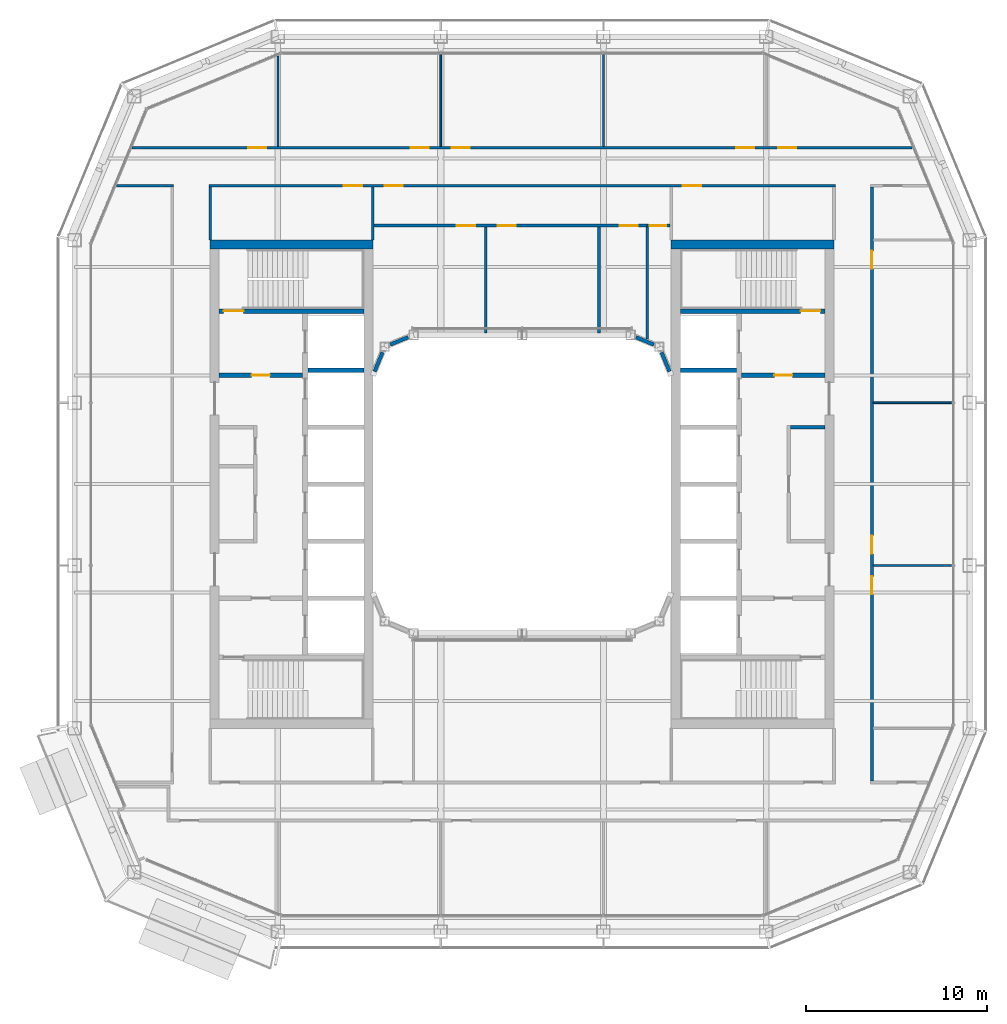
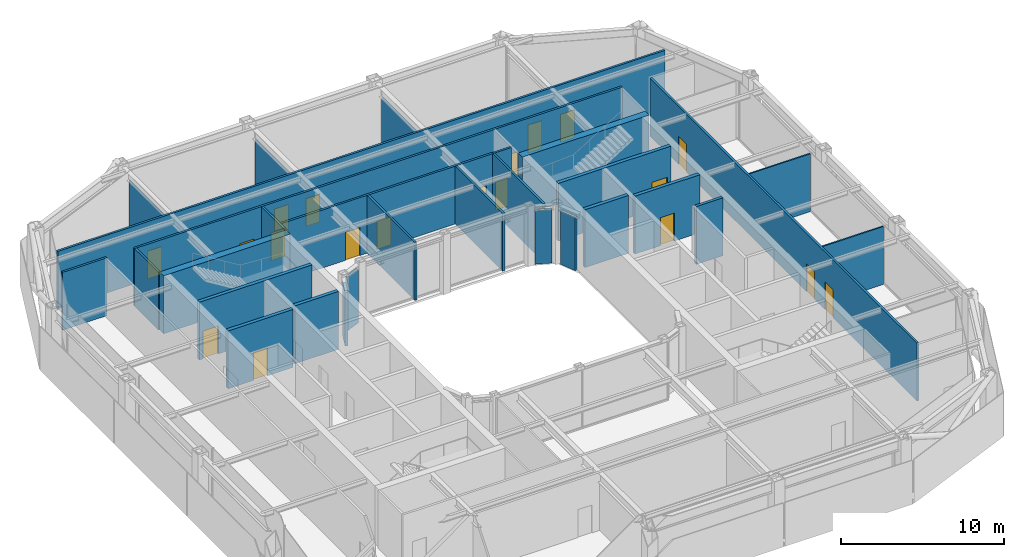
# One storey, part 12 of 20: 29 walls, 19 doors, 19 openings.
"""IFC4 building model written with IfcOpenShell, lengths in metres."""

from ifc_helpers import new_model, si_unit, direction, frame, frame_2d, origin, place, context, subcontext, project, spatial, rectangle, extrude, material, layer, layer_set, type_object, element, fill, save


model = new_model("IFC4")

# Units and contexts
model_context = context("Model", 3, precision=1e-05, world=origin(), true_north=direction((0.0, 1.0)))
body_context = subcontext(model_context, "Body", "Model", "MODEL_VIEW")
ifc_project = project(units=[si_unit("LENGTHUNIT", "METRE"), si_unit("AREAUNIT", "SQUARE_METRE"), si_unit("VOLUMEUNIT", "CUBIC_METRE"), si_unit("PLANEANGLEUNIT", "RADIAN"), si_unit("MASSUNIT", "GRAM", prefix="KILO")], contexts=[model_context])

# Site, building, storey
site_placement = place(None, origin())
site = spatial("IfcSite", under=ifc_project, at=site_placement, CompositionType="ELEMENT")
building_placement = place(site_placement, origin())
building = spatial("IfcBuilding", under=site, at=building_placement, Name="Siwar Civic Tower", CompositionType="ELEMENT")
storey_placement = place(building_placement, frame((0.0, 0.0, 298.699951171875)))
storey = spatial("IfcBuildingStorey", under=building, at=storey_placement, Name="L64", CompositionType="ELEMENT", Elevation=298.699951171875)

# Wall, opening, door
ifc_material_1 = material(Name="Gypsum board on steel studs", Category="steel")
ifc_layer_1 = layer(ifc_material_1, 0.14990234375)
ifc_layer_set_1 = layer_set([ifc_layer_1], Name="Gypsum board on steel studs")
wall_type_1 = type_object("IfcWallType", Name="COMPARTMENT PARTITION 150 EI 60", PredefinedType="PARTITIONING", material=ifc_layer_set_1)
wall_1_placement = place(storey_placement, frame((6.919921875, 14.300048828125, 0.0), z_axis=(0.0, 0.0, 1.0), x_axis=(1.0, 0.0, 0.0)))
wall_1 = element("IfcWall", 1, at=wall_1_placement, inside=storey, type_object=wall_type_1, Name="L64/wall/P11", PredefinedType="PARTITIONING", context=body_context, shape_type="SweptSolid", body=[
    extrude(rectangle(XDim=1.255126953125, YDim=0.14990234375, at=frame_2d((0.62744140625, 0.0))), origin(), (0.0, 0.0, 1.0), 4.35009765625),
])
opening_1_placement = place(wall_1_placement, frame((0.14990234375, 0.0, 0.0)))
opening_1 = element("IfcOpeningElement", 2, at=opening_1_placement, cuts=wall_1, Name="Opening D4", PredefinedType="OPENING", context=body_context, shape_type="SweptSolid", body=[
    extrude(rectangle(XDim=0.89990234375, YDim=2.10009765625, at=frame_2d((0.449951171875, 1.050048828125))), frame((0.0, 0.0849609375, 0.0), z_axis=(0.0, -1.0, 0.0), x_axis=(1.0, 0.0, 0.0)), (0.0, 0.0, 1.0), 0.169921875),
])
ifc_material_2 = material(Name="Timber, painted", Category="wood")
door_type_1 = type_object("IfcDoorType", Name="DOOR 900 X 2100 FD60", OperationType="SINGLE_SWING_LEFT", PredefinedType="DOOR", material=ifc_material_2)
door_1_placement = place(opening_1_placement, origin())
door_1 = element("IfcDoor", 3, at=door_1_placement, inside=storey, type_object=door_type_1, Name="L64-D15", OperationType="SINGLE_SWING_LEFT", OverallHeight=2.10009765625, OverallWidth=0.89990234375, PredefinedType="DOOR", context=body_context, shape_type="SweptSolid", body=[
    extrude(rectangle(XDim=0.89990234375, YDim=2.10009765625, at=frame_2d((0.449951171875, 1.050048828125))), frame((0.0, 0.02490234375, 0.0), z_axis=(0.0, -1.0, 0.0), x_axis=(1.0, 0.0, 0.0)), (0.0, 0.0, 1.0), 0.050048828125),
])
fill(opening_1, door_1)

# Walls
wall_2_placement = place(storey_placement, frame((6.919921875, 8.029052734375, 0.0), z_axis=(0.0, 0.0, 1.0), x_axis=(0.0, 1.0, 0.0)))
element("IfcWall", 4, at=wall_2_placement, inside=storey, type_object=wall_type_1, Name="L64/wall/P31", PredefinedType="PARTITIONING", context=body_context, shape_type="SweptSolid", body=[
    extrude(rectangle(XDim=6.196044921875, YDim=0.14990234375, at=frame_2d((3.09814453125, 0.0))), origin(), (0.0, 0.0, 1.0), 4.35009765625),
])
ifc_material_3 = material(Name="Gypsum board on steel studs", Category="steel")
ifc_layer_2 = layer(ifc_material_3, 0.199951171875)
ifc_layer_set_2 = layer_set([ifc_layer_2], Name="Gypsum board on steel studs")
wall_type_2 = type_object("IfcWallType", Name="CORE-PARTITION-200", PredefinedType="PARTITIONING", material=ifc_layer_set_2)
wall_3_placement = place(storey_placement, frame((14.85009765625, 3.14990234375, 0.0), z_axis=(0.0, 0.0, 1.0), x_axis=(1.0, 0.0, 0.0)))
element("IfcWall", 5, at=wall_3_placement, inside=storey, type_object=wall_type_2, Name="Core partition E", PredefinedType="PARTITIONING", context=body_context, shape_type="SweptSolid", body=[
    extrude(rectangle(XDim=1.89990234375, YDim=0.199951171875, at=frame_2d((0.949951171875, 0.0))), origin(), (0.0, 0.0, 1.0), 4.35009765625),
])

# Wall, opening, door
ifc_material_4 = material(Name="Concrete C60/75", Category="concrete")
ifc_layer_3 = layer(ifc_material_4, 0.25)
ifc_layer_set_3 = layer_set([ifc_layer_3], Name="Concrete C60/75")
wall_type_3 = type_object("IfcWallType", Name="CORE-WALL-RC250", PredefinedType="SHEAR", material=ifc_layer_set_3)
wall_4_placement = place(storey_placement, frame((-12.14990234375, 6.02490234375, 0.0), z_axis=(0.0, 0.0, 1.0), x_axis=(-1.0, 0.0, 0.0)))
wall_4 = element("IfcWall", 6, at=wall_4_placement, inside=storey, type_object=wall_type_3, Name="Core wall W", PredefinedType="SHEAR", context=body_context, shape_type="SweptSolid", body=[
    extrude(rectangle(XDim=4.60009765625, YDim=0.25, at=frame_2d((2.300048828125, 0.0))), origin(), (0.0, 0.0, 1.0), 4.35009765625),
])
opening_2_placement = place(wall_4_placement, frame((1.800048828125, 0.0, 0.0)))
opening_2 = element("IfcOpeningElement", 7, at=opening_2_placement, cuts=wall_4, Name="Opening L64-CW01", PredefinedType="OPENING", context=body_context, shape_type="SweptSolid", body=[
    extrude(rectangle(XDim=1.0, YDim=2.10009765625, at=frame_2d((0.5, 1.050048828125))), frame((0.0, 0.135009765625, 0.0), z_axis=(0.0, -1.0, 0.0), x_axis=(1.0, 0.0, 0.0)), (0.0, 0.0, 1.0), 0.27001953125),
])
ifc_material_5 = material(Name="Steel door leaf", Category="steel")
door_type_2 = type_object("IfcDoorType", Name="CORE-DOOR-FD30S", OperationType="SINGLE_SWING_LEFT", PredefinedType="DOOR", material=ifc_material_5)
door_2_placement = place(opening_2_placement, origin())
door_2 = element("IfcDoor", 8, at=door_2_placement, inside=storey, type_object=door_type_2, Name="Firefighting lobby door L64-CW01", OperationType="SINGLE_SWING_LEFT", OverallHeight=2.10009765625, OverallWidth=1.0, PredefinedType="DOOR", context=body_context, shape_type="SweptSolid", body=[
    extrude(rectangle(XDim=1.0, YDim=2.10009765625, at=frame_2d((0.5, 1.050048828125))), frame((0.0, 0.02490234375, 0.0), z_axis=(0.0, -1.0, 0.0), x_axis=(1.0, 0.0, 0.0)), (0.0, 0.0, 1.0), 0.050048828125),
])
fill(opening_2, door_2)

# Wall
wall_5_placement = place(storey_placement, frame((-8.75, 6.300048828125, 0.0), z_axis=(0.0, 0.0, 1.0), x_axis=(-1.0, 0.0, 0.0)))
element("IfcWall", 9, at=wall_5_placement, inside=storey, type_object=wall_type_3, Name="Core wall W", PredefinedType="SHEAR", context=body_context, shape_type="SweptSolid", body=[
    extrude(rectangle(XDim=3.10009765625, YDim=0.25, at=frame_2d((1.550048828125, 0.0))), origin(), (0.0, 0.0, 1.0), 4.35009765625),
])

# Wall, opening, door
wall_6_placement = place(storey_placement, frame((-8.75, 9.574951171875, 0.0), z_axis=(0.0, 0.0, 1.0), x_axis=(-1.0, 0.0, 0.0)))
wall_6 = element("IfcWall", 10, at=wall_6_placement, inside=storey, type_object=wall_type_3, Name="Core wall W", PredefinedType="SHEAR", context=body_context, shape_type="SweptSolid", body=[
    extrude(rectangle(XDim=8.0, YDim=0.25, at=frame_2d((4.0, 0.0))), origin(), (0.0, 0.0, 1.0), 4.35009765625),
])
opening_3_placement = place(wall_6_placement, frame((6.64990234375, 0.0, 0.0)))
opening_3 = element("IfcOpeningElement", 11, at=opening_3_placement, cuts=wall_6, Name="Opening L64-CW03", PredefinedType="OPENING", context=body_context, shape_type="SweptSolid", body=[
    extrude(rectangle(XDim=1.10009765625, YDim=2.10009765625, at=frame_2d((0.550048828125, 1.050048828125))), frame((0.0, 0.135009765625, 0.0), z_axis=(0.0, -1.0, 0.0), x_axis=(1.0, 0.0, 0.0)), (0.0, 0.0, 1.0), 0.27001953125),
])
ifc_material_6 = material(Name="Steel door leaf", Category="steel")
door_type_3 = type_object("IfcDoorType", Name="CORE-DOOR-FD60S", OperationType="SINGLE_SWING_LEFT", PredefinedType="DOOR", material=ifc_material_6)
door_3_placement = place(opening_3_placement, origin())
door_3 = element("IfcDoor", 12, at=door_3_placement, inside=storey, type_object=door_type_3, Name="Stair door L64-CW03", OperationType="SINGLE_SWING_RIGHT", OverallHeight=2.10009765625, OverallWidth=1.10009765625, PredefinedType="DOOR", context=body_context, shape_type="SweptSolid", body=[
    extrude(rectangle(XDim=1.10009765625, YDim=2.10009765625, at=frame_2d((0.550048828125, 1.050048828125))), frame((0.0, 0.02490234375, 0.0), z_axis=(0.0, -1.0, 0.0), x_axis=(1.0, 0.0, 0.0)), (0.0, 0.0, 1.0), 0.050048828125),
])
fill(opening_3, door_3)

wall_7_placement = place(storey_placement, frame((12.14990234375, 6.02490234375, 0.0), z_axis=(0.0, 0.0, 1.0), x_axis=(1.0, 0.0, 0.0)))
wall_7 = element("IfcWall", 13, at=wall_7_placement, inside=storey, type_object=wall_type_3, Name="Core wall E", PredefinedType="SHEAR", context=body_context, shape_type="SweptSolid", body=[
    extrude(rectangle(XDim=4.60009765625, YDim=0.25, at=frame_2d((2.300048828125, 0.0))), origin(), (0.0, 0.0, 1.0), 4.35009765625),
])
opening_4_placement = place(wall_7_placement, frame((1.800048828125, 0.0, 0.0)))
opening_4 = element("IfcOpeningElement", 14, at=opening_4_placement, cuts=wall_7, Name="Opening L64-CE01", PredefinedType="OPENING", context=body_context, shape_type="SweptSolid", body=[
    extrude(rectangle(XDim=1.0, YDim=2.10009765625, at=frame_2d((0.5, 1.050048828125))), frame((0.0, 0.135009765625, 0.0), z_axis=(0.0, -1.0, 0.0), x_axis=(1.0, 0.0, 0.0)), (0.0, 0.0, 1.0), 0.27001953125),
])
door_4_placement = place(opening_4_placement, origin())
door_4 = element("IfcDoor", 15, at=door_4_placement, inside=storey, type_object=door_type_2, Name="Firefighting lobby door L64-CE01", OperationType="SINGLE_SWING_RIGHT", OverallHeight=2.10009765625, OverallWidth=1.0, PredefinedType="DOOR", context=body_context, shape_type="SweptSolid", body=[
    extrude(rectangle(XDim=1.0, YDim=2.10009765625, at=frame_2d((0.5, 1.050048828125))), frame((0.0, 0.02490234375, 0.0), z_axis=(0.0, -1.0, 0.0), x_axis=(1.0, 0.0, 0.0)), (0.0, 0.0, 1.0), 0.050048828125),
])
fill(opening_4, door_4)

# Wall
wall_8_placement = place(storey_placement, frame((8.75, 6.300048828125, 0.0), z_axis=(0.0, 0.0, 1.0), x_axis=(1.0, 0.0, 0.0)))
element("IfcWall", 16, at=wall_8_placement, inside=storey, type_object=wall_type_3, Name="Core wall E", PredefinedType="SHEAR", context=body_context, shape_type="SweptSolid", body=[
    extrude(rectangle(XDim=3.10009765625, YDim=0.25, at=frame_2d((1.550048828125, 0.0))), origin(), (0.0, 0.0, 1.0), 4.35009765625),
])

# Wall, opening, door
wall_9_placement = place(storey_placement, frame((8.75, 9.574951171875, 0.0), z_axis=(0.0, 0.0, 1.0), x_axis=(1.0, 0.0, 0.0)))
wall_9 = element("IfcWall", 17, at=wall_9_placement, inside=storey, type_object=wall_type_3, Name="Core wall E", PredefinedType="SHEAR", context=body_context, shape_type="SweptSolid", body=[
    extrude(rectangle(XDim=8.0, YDim=0.25, at=frame_2d((4.0, 0.0))), origin(), (0.0, 0.0, 1.0), 4.35009765625),
])
opening_5_placement = place(wall_9_placement, frame((6.64990234375, 0.0, 0.0)))
opening_5 = element("IfcOpeningElement", 18, at=opening_5_placement, cuts=wall_9, Name="Opening L64-CE03", PredefinedType="OPENING", context=body_context, shape_type="SweptSolid", body=[
    extrude(rectangle(XDim=1.10009765625, YDim=2.10009765625, at=frame_2d((0.550048828125, 1.050048828125))), frame((0.0, 0.135009765625, 0.0), z_axis=(0.0, -1.0, 0.0), x_axis=(1.0, 0.0, 0.0)), (0.0, 0.0, 1.0), 0.27001953125),
])
door_5_placement = place(opening_5_placement, origin())
door_5 = element("IfcDoor", 19, at=door_5_placement, inside=storey, type_object=door_type_3, Name="Stair door L64-CE03", OperationType="SINGLE_SWING_LEFT", OverallHeight=2.10009765625, OverallWidth=1.10009765625, PredefinedType="DOOR", context=body_context, shape_type="SweptSolid", body=[
    extrude(rectangle(XDim=1.10009765625, YDim=2.10009765625, at=frame_2d((0.550048828125, 1.050048828125))), frame((0.0, 0.02490234375, 0.0), z_axis=(0.0, -1.0, 0.0), x_axis=(1.0, 0.0, 0.0)), (0.0, 0.0, 1.0), 0.050048828125),
])
fill(opening_5, door_5)

# Walls
ifc_material_7 = material(Name="Concrete C60/75", Category="concrete")
ifc_layer_4 = layer(ifc_material_7, 0.5)
ifc_layer_set_4 = layer_set([ifc_layer_4], Name="Concrete C60/75")
wall_type_4 = type_object("IfcWallType", Name="CORE-WALL-RC500", PredefinedType="SHEAR", material=ifc_layer_set_4)
for number, where, z_axis, x_axis, name in (
    (20, (-8.25, 13.25, 0.0), (0.0, 0.0, 1.0), (-1.0, 0.0, 0.0), "Core wall W"),
    (21, (8.25, 13.25, 0.0), (0.0, 0.0, 1.0), (1.0, 0.0, 0.0), "Core wall E"),
):
    element("IfcWall", number, at=place(storey_placement, frame(where, z_axis=z_axis, x_axis=x_axis)), inside=storey, type_object=wall_type_4, Name=name, PredefinedType="SHEAR", context=body_context, shape_type="SweptSolid", body=[
        extrude(rectangle(XDim=9.0, YDim=0.5, at=frame_2d((4.5, 0.0))), origin(), (0.0, 0.0, 1.0), 4.35009765625),
    ])

# Wall, openings, doors
ifc_material_8 = material(Name="Gypsum board on steel studs", Category="steel")
ifc_layer_5 = layer(ifc_material_8, 0.14990234375)
ifc_layer_set_5 = layer_set([ifc_layer_5], Name="Gypsum board on steel studs")
wall_type_5 = type_object("IfcWallType", Name="CORRIDOR PARTITION 150 EI 30", PredefinedType="PARTITIONING", material=ifc_layer_set_5)
wall_10_placement = place(storey_placement, frame((-8.175048828125, 14.300048828125, 0.0), z_axis=(0.0, 0.0, 1.0), x_axis=(1.0, 0.0, 0.0)))
wall_10 = element("IfcWall", 22, at=wall_10_placement, inside=storey, type_object=wall_type_5, Name="L64/wall/P10", PredefinedType="PARTITIONING", context=body_context, shape_type="SweptSolid", body=[
    extrude(rectangle(XDim=15.094970703125, YDim=0.14990234375, at=frame_2d((7.54736328125, 0.0))), origin(), (0.0, 0.0, 1.0), 4.35009765625),
])
opening_6_placement = place(wall_10_placement, frame((4.574951171875, 0.0, 0.0)))
opening_6 = element("IfcOpeningElement", 23, at=opening_6_placement, cuts=wall_10, Name="Opening D3", PredefinedType="OPENING", context=body_context, shape_type="SweptSolid", body=[
    extrude(rectangle(XDim=1.0, YDim=2.10009765625, at=frame_2d((0.5, 1.050048828125))), frame((0.0, 0.0849609375, 0.0), z_axis=(0.0, -1.0, 0.0), x_axis=(1.0, 0.0, 0.0)), (0.0, 0.0, 1.0), 0.169921875),
])
opening_7_placement = place(wall_10_placement, frame((6.824951171875, 0.0, 0.0)))
opening_7 = element("IfcOpeningElement", 24, at=opening_7_placement, cuts=wall_10, Name="Opening D3", PredefinedType="OPENING", context=body_context, shape_type="SweptSolid", body=[
    extrude(rectangle(XDim=1.0, YDim=2.10009765625, at=frame_2d((0.5, 1.050048828125))), frame((0.0, 0.0849609375, 0.0), z_axis=(0.0, -1.0, 0.0), x_axis=(1.0, 0.0, 0.0)), (0.0, 0.0, 1.0), 0.169921875),
])
opening_8_placement = place(wall_10_placement, frame((13.574951171875, 0.0, 0.0)))
opening_8 = element("IfcOpeningElement", 25, at=opening_8_placement, cuts=wall_10, Name="Opening D3", PredefinedType="OPENING", context=body_context, shape_type="SweptSolid", body=[
    extrude(rectangle(XDim=1.0, YDim=2.10009765625, at=frame_2d((0.5, 1.050048828125))), frame((0.0, 0.0849609375, 0.0), z_axis=(0.0, -1.0, 0.0), x_axis=(1.0, 0.0, 0.0)), (0.0, 0.0, 1.0), 0.169921875),
])
ifc_material_9 = material(Name="Timber, painted", Category="wood")
door_type_4 = type_object("IfcDoorType", Name="DOOR 1000 X 2100 WC", OperationType="SINGLE_SWING_LEFT", PredefinedType="DOOR", material=ifc_material_9)
door_6_placement = place(opening_6_placement, origin())
door_6 = element("IfcDoor", 26, at=door_6_placement, inside=storey, type_object=door_type_4, Name="L64-D12", OperationType="SINGLE_SWING_RIGHT", OverallHeight=2.10009765625, OverallWidth=1.0, PredefinedType="DOOR", context=body_context, shape_type="SweptSolid", body=[
    extrude(rectangle(XDim=1.0, YDim=2.10009765625, at=frame_2d((0.5, 1.050048828125))), frame((0.0, 0.02490234375, 0.0), z_axis=(0.0, -1.0, 0.0), x_axis=(1.0, 0.0, 0.0)), (0.0, 0.0, 1.0), 0.050048828125),
])
fill(opening_6, door_6)
door_7_placement = place(opening_7_placement, origin())
door_7 = element("IfcDoor", 27, at=door_7_placement, inside=storey, type_object=door_type_4, Name="L64-D13", OperationType="SINGLE_SWING_LEFT", OverallHeight=2.10009765625, OverallWidth=1.0, PredefinedType="DOOR", context=body_context, shape_type="SweptSolid", body=[
    extrude(rectangle(XDim=1.0, YDim=2.10009765625, at=frame_2d((0.5, 1.050048828125))), frame((0.0, 0.02490234375, 0.0), z_axis=(0.0, -1.0, 0.0), x_axis=(1.0, 0.0, 0.0)), (0.0, 0.0, 1.0), 0.050048828125),
])
fill(opening_7, door_7)
door_8_placement = place(opening_8_placement, origin())
door_8 = element("IfcDoor", 28, at=door_8_placement, inside=storey, type_object=door_type_4, Name="L64-D14", OperationType="SINGLE_SWING_RIGHT", OverallHeight=2.10009765625, OverallWidth=1.0, PredefinedType="DOOR", context=body_context, shape_type="SweptSolid", body=[
    extrude(rectangle(XDim=1.0, YDim=2.10009765625, at=frame_2d((0.5, 1.050048828125))), frame((0.0, 0.02490234375, 0.0), z_axis=(0.0, -1.0, 0.0), x_axis=(1.0, 0.0, 0.0)), (0.0, 0.0, 1.0), 0.050048828125),
])
fill(opening_8, door_8)

# Wall
wall_11_placement = place(storey_placement, frame((-22.43603515625, 16.5, 0.0), z_axis=(0.0, 0.0, 1.0), x_axis=(1.0, 0.0, 0.0)))
element("IfcWall", 29, at=wall_11_placement, inside=storey, type_object=wall_type_5, Name="L64/wall/P12", PredefinedType="PARTITIONING", context=body_context, shape_type="SweptSolid", body=[
    extrude(rectangle(XDim=3.1611328125, YDim=0.14990234375, at=frame_2d((1.58056640625, 0.0))), origin(), (0.0, 0.0, 1.0), 4.35009765625),
])

# Wall, openings, doors
wall_12_placement = place(storey_placement, frame((-17.324951171875, 16.5, 0.0), z_axis=(0.0, 0.0, 1.0), x_axis=(1.0, 0.0, 0.0)))
wall_12 = element("IfcWall", 30, at=wall_12_placement, inside=storey, type_object=wall_type_5, Name="L64/wall/P13", PredefinedType="PARTITIONING", context=body_context, shape_type="SweptSolid", body=[
    extrude(rectangle(XDim=34.64990234375, YDim=0.14990234375, at=frame_2d((17.324951171875, 0.0))), origin(), (0.0, 0.0, 1.0), 4.35009765625),
])
opening_9_placement = place(wall_12_placement, frame((9.72509765625, 0.0, 0.0)))
opening_9 = element("IfcOpeningElement", 31, at=opening_9_placement, cuts=wall_12, Name="Opening D1", PredefinedType="OPENING", context=body_context, shape_type="SweptSolid", body=[
    extrude(rectangle(XDim=1.0, YDim=2.10009765625, at=frame_2d((0.5, 1.050048828125))), frame((0.0, 0.0849609375, 0.0), z_axis=(0.0, -1.0, 0.0), x_axis=(1.0, 0.0, 0.0)), (0.0, 0.0, 1.0), 0.169921875),
])
opening_10_placement = place(wall_12_placement, frame((7.47509765625, 0.0, 0.0)))
opening_10 = element("IfcOpeningElement", 32, at=opening_10_placement, cuts=wall_12, Name="Opening D1", PredefinedType="OPENING", context=body_context, shape_type="SweptSolid", body=[
    extrude(rectangle(XDim=1.0, YDim=2.10009765625, at=frame_2d((0.5, 1.050048828125))), frame((0.0, 0.0849609375, 0.0), z_axis=(0.0, -1.0, 0.0), x_axis=(1.0, 0.0, 0.0)), (0.0, 0.0, 1.0), 0.169921875),
])
opening_11_placement = place(wall_12_placement, frame((26.22509765625, 0.0, 0.0)))
opening_11 = element("IfcOpeningElement", 33, at=opening_11_placement, cuts=wall_12, Name="Opening D1", PredefinedType="OPENING", context=body_context, shape_type="SweptSolid", body=[
    extrude(rectangle(XDim=1.0, YDim=2.10009765625, at=frame_2d((0.5, 1.050048828125))), frame((0.0, 0.0849609375, 0.0), z_axis=(0.0, -1.0, 0.0), x_axis=(1.0, 0.0, 0.0)), (0.0, 0.0, 1.0), 0.169921875),
])
ifc_material_10 = material(Name="Timber, painted", Category="wood")
door_type_5 = type_object("IfcDoorType", Name="DOOR 1000 X 2100 FD30", OperationType="SINGLE_SWING_LEFT", PredefinedType="DOOR", material=ifc_material_10)
door_9_placement = place(opening_9_placement, origin())
door_9 = element("IfcDoor", 34, at=door_9_placement, inside=storey, type_object=door_type_5, Name="L64-D11", OperationType="SINGLE_SWING_LEFT", OverallHeight=2.10009765625, OverallWidth=1.0, PredefinedType="DOOR", context=body_context, shape_type="SweptSolid", body=[
    extrude(rectangle(XDim=1.0, YDim=2.10009765625, at=frame_2d((0.5, 1.050048828125))), frame((0.0, 0.02490234375, 0.0), z_axis=(0.0, -1.0, 0.0), x_axis=(1.0, 0.0, 0.0)), (0.0, 0.0, 1.0), 0.050048828125),
])
fill(opening_9, door_9)
door_10_placement = place(opening_10_placement, origin())
door_10 = element("IfcDoor", 35, at=door_10_placement, inside=storey, type_object=door_type_5, Name="L64-D18", OperationType="SINGLE_SWING_RIGHT", OverallHeight=2.10009765625, OverallWidth=1.0, PredefinedType="DOOR", context=body_context, shape_type="SweptSolid", body=[
    extrude(rectangle(XDim=1.0, YDim=2.10009765625, at=frame_2d((0.5, 1.050048828125))), frame((0.0, 0.02490234375, 0.0), z_axis=(0.0, -1.0, 0.0), x_axis=(1.0, 0.0, 0.0)), (0.0, 0.0, 1.0), 0.050048828125),
])
fill(opening_10, door_10)
door_11_placement = place(opening_11_placement, origin())
door_11 = element("IfcDoor", 36, at=door_11_placement, inside=storey, type_object=door_type_5, Name="L64-D19", OperationType="SINGLE_SWING_LEFT", OverallHeight=2.10009765625, OverallWidth=1.0, PredefinedType="DOOR", context=body_context, shape_type="SweptSolid", body=[
    extrude(rectangle(XDim=1.0, YDim=2.10009765625, at=frame_2d((0.5, 1.050048828125))), frame((0.0, 0.02490234375, 0.0), z_axis=(0.0, -1.0, 0.0), x_axis=(1.0, 0.0, 0.0)), (0.0, 0.0, 1.0), 0.050048828125),
])
fill(opening_11, door_11)

wall_13_placement = place(storey_placement, frame((-21.56591796875, 18.60009765625, 0.0), z_axis=(0.0, 0.0, 1.0), x_axis=(1.0, 0.0, 0.0)))
wall_13 = element("IfcWall", 37, at=wall_13_placement, inside=storey, type_object=wall_type_5, Name="L64/wall/P15", PredefinedType="PARTITIONING", context=body_context, shape_type="SweptSolid", body=[
    extrude(rectangle(XDim=43.1318359375, YDim=0.14990234375, at=frame_2d((21.56591796875, 0.0))), origin(), (0.0, 0.0, 1.0), 4.35009765625),
])
opening_12_placement = place(wall_13_placement, frame((15.416015625, 0.0, 0.0)))
opening_12 = element("IfcOpeningElement", 38, at=opening_12_placement, cuts=wall_13, Name="Opening D1", PredefinedType="OPENING", context=body_context, shape_type="SweptSolid", body=[
    extrude(rectangle(XDim=1.0, YDim=2.10009765625, at=frame_2d((0.5, 1.050048828125))), frame((0.0, 0.0849609375, 0.0), z_axis=(0.0, -1.0, 0.0), x_axis=(1.0, 0.0, 0.0)), (0.0, 0.0, 1.0), 0.169921875),
])
opening_13_placement = place(wall_13_placement, frame((17.666015625, 0.0, 0.0)))
opening_13 = element("IfcOpeningElement", 39, at=opening_13_placement, cuts=wall_13, Name="Opening D1", PredefinedType="OPENING", context=body_context, shape_type="SweptSolid", body=[
    extrude(rectangle(XDim=1.0, YDim=2.10009765625, at=frame_2d((0.5, 1.050048828125))), frame((0.0, 0.0849609375, 0.0), z_axis=(0.0, -1.0, 0.0), x_axis=(1.0, 0.0, 0.0)), (0.0, 0.0, 1.0), 0.169921875),
])
opening_14_placement = place(wall_13_placement, frame((33.416015625, 0.0, 0.0)))
opening_14 = element("IfcOpeningElement", 40, at=opening_14_placement, cuts=wall_13, Name="Opening D1", PredefinedType="OPENING", context=body_context, shape_type="SweptSolid", body=[
    extrude(rectangle(XDim=1.0, YDim=2.10009765625, at=frame_2d((0.5, 1.050048828125))), frame((0.0, 0.0849609375, 0.0), z_axis=(0.0, -1.0, 0.0), x_axis=(1.0, 0.0, 0.0)), (0.0, 0.0, 1.0), 0.169921875),
])
opening_15_placement = place(wall_13_placement, frame((6.416015625, 0.0, 0.0)))
opening_15 = element("IfcOpeningElement", 41, at=opening_15_placement, cuts=wall_13, Name="Opening D1", PredefinedType="OPENING", context=body_context, shape_type="SweptSolid", body=[
    extrude(rectangle(XDim=1.0, YDim=2.10009765625, at=frame_2d((0.5, 1.050048828125))), frame((0.0, 0.0849609375, 0.0), z_axis=(0.0, -1.0, 0.0), x_axis=(1.0, 0.0, 0.0)), (0.0, 0.0, 1.0), 0.169921875),
])
opening_16_placement = place(wall_13_placement, frame((35.73193359375, 0.0, 0.0)))
opening_16 = element("IfcOpeningElement", 42, at=opening_16_placement, cuts=wall_13, Name="Opening D1", PredefinedType="OPENING", context=body_context, shape_type="SweptSolid", body=[
    extrude(rectangle(XDim=1.0, YDim=2.10009765625, at=frame_2d((0.5, 1.050048828125))), frame((0.0, 0.0849609375, 0.0), z_axis=(0.0, -1.0, 0.0), x_axis=(1.0, 0.0, 0.0)), (0.0, 0.0, 1.0), 0.169921875),
])
door_12_placement = place(opening_12_placement, origin())
door_12 = element("IfcDoor", 43, at=door_12_placement, inside=storey, type_object=door_type_5, Name="L64-D01", OperationType="SINGLE_SWING_LEFT", OverallHeight=2.10009765625, OverallWidth=1.0, PredefinedType="DOOR", context=body_context, shape_type="SweptSolid", body=[
    extrude(rectangle(XDim=1.0, YDim=2.10009765625, at=frame_2d((0.5, 1.050048828125))), frame((0.0, 0.02490234375, 0.0), z_axis=(0.0, -1.0, 0.0), x_axis=(1.0, 0.0, 0.0)), (0.0, 0.0, 1.0), 0.050048828125),
])
fill(opening_12, door_12)
door_13_placement = place(opening_13_placement, origin())
door_13 = element("IfcDoor", 44, at=door_13_placement, inside=storey, type_object=door_type_5, Name="L64-D02", OperationType="SINGLE_SWING_RIGHT", OverallHeight=2.10009765625, OverallWidth=1.0, PredefinedType="DOOR", context=body_context, shape_type="SweptSolid", body=[
    extrude(rectangle(XDim=1.0, YDim=2.10009765625, at=frame_2d((0.5, 1.050048828125))), frame((0.0, 0.02490234375, 0.0), z_axis=(0.0, -1.0, 0.0), x_axis=(1.0, 0.0, 0.0)), (0.0, 0.0, 1.0), 0.050048828125),
])
fill(opening_13, door_13)
door_14_placement = place(opening_14_placement, origin())
door_14 = element("IfcDoor", 45, at=door_14_placement, inside=storey, type_object=door_type_5, Name="L64-D03", OperationType="SINGLE_SWING_LEFT", OverallHeight=2.10009765625, OverallWidth=1.0, PredefinedType="DOOR", context=body_context, shape_type="SweptSolid", body=[
    extrude(rectangle(XDim=1.0, YDim=2.10009765625, at=frame_2d((0.5, 1.050048828125))), frame((0.0, 0.02490234375, 0.0), z_axis=(0.0, -1.0, 0.0), x_axis=(1.0, 0.0, 0.0)), (0.0, 0.0, 1.0), 0.050048828125),
])
fill(opening_14, door_14)
door_15_placement = place(opening_15_placement, origin())
door_15 = element("IfcDoor", 46, at=door_15_placement, inside=storey, type_object=door_type_5, Name="L64-D07", OperationType="SINGLE_SWING_LEFT", OverallHeight=2.10009765625, OverallWidth=1.0, PredefinedType="DOOR", context=body_context, shape_type="SweptSolid", body=[
    extrude(rectangle(XDim=1.0, YDim=2.10009765625, at=frame_2d((0.5, 1.050048828125))), frame((0.0, 0.02490234375, 0.0), z_axis=(0.0, -1.0, 0.0), x_axis=(1.0, 0.0, 0.0)), (0.0, 0.0, 1.0), 0.050048828125),
])
fill(opening_15, door_15)
door_16_placement = place(opening_16_placement, origin())
door_16 = element("IfcDoor", 47, at=door_16_placement, inside=storey, type_object=door_type_5, Name="L64-D08", OperationType="SINGLE_SWING_RIGHT", OverallHeight=2.10009765625, OverallWidth=1.0, PredefinedType="DOOR", context=body_context, shape_type="SweptSolid", body=[
    extrude(rectangle(XDim=1.0, YDim=2.10009765625, at=frame_2d((0.5, 1.050048828125))), frame((0.0, 0.02490234375, 0.0), z_axis=(0.0, -1.0, 0.0), x_axis=(1.0, 0.0, 0.0)), (0.0, 0.0, 1.0), 0.050048828125),
])
fill(opening_16, door_16)

# Walls
for number, where, z_axis, x_axis, name in (
    (48, (-17.25, 13.5, 0.0), (0.0, 0.0, 1.0), (0.0, 1.0, 0.0), "L64/wall/P19"),
    (49, (-8.25, 13.5, 0.0), (0.0, 0.0, 1.0), (0.0, 1.0, 0.0), "L64/wall/P23"),
):
    element("IfcWall", number, at=place(storey_placement, frame(where, z_axis=z_axis, x_axis=x_axis)), inside=storey, type_object=wall_type_5, Name=name, PredefinedType="PARTITIONING", context=body_context, shape_type="SweptSolid", body=[
        extrude(rectangle(XDim=2.925048828125, YDim=0.14990234375, at=frame_2d((1.46240234375, 0.0))), origin(), (0.0, 0.0, 1.0), 4.35009765625),
    ])
for number, where, z_axis, x_axis, name in (
    (50, (-2.0, 8.3701171875, 0.0), (0.0, 0.0, 1.0), (0.0, 1.0, 0.0), "L64/wall/P27"),
    (51, (4.25, 8.3701171875, 0.0), (0.0, 0.0, 1.0), (0.0, 1.0, 0.0), "L64/wall/P28"),
):
    element("IfcWall", number, at=place(storey_placement, frame(where, z_axis=z_axis, x_axis=x_axis)), inside=storey, type_object=wall_type_5, Name=name, PredefinedType="PARTITIONING", context=body_context, shape_type="SweptSolid", body=[
        extrude(rectangle(XDim=5.85498046875, YDim=0.14990234375, at=frame_2d((2.927490234375, 0.0))), origin(), (0.0, 0.0, 1.0), 4.35009765625),
    ])

# Wall, openings, doors
wall_14_placement = place(storey_placement, frame((19.35009765625, -16.419921875, 0.0), z_axis=(0.0, 0.0, 1.0), x_axis=(0.0, 1.0, 0.0)))
wall_14 = element("IfcWall", 52, at=wall_14_placement, inside=storey, type_object=wall_type_5, Name="L64/wall/P39", PredefinedType="PARTITIONING", context=body_context, shape_type="SweptSolid", body=[
    extrude(rectangle(XDim=32.844970703125, YDim=0.14990234375, at=frame_2d((16.42236328125, 0.0))), origin(), (0.0, 0.0, 1.0), 4.35009765625),
])
opening_17_placement = place(wall_14_placement, frame((10.320068359375, 0.0, 0.0)))
opening_17 = element("IfcOpeningElement", 53, at=opening_17_placement, cuts=wall_14, Name="Opening D1", PredefinedType="OPENING", context=body_context, shape_type="SweptSolid", body=[
    extrude(rectangle(XDim=1.0, YDim=2.10009765625, at=frame_2d((0.5, 1.050048828125))), frame((0.0, 0.0849609375, 0.0), z_axis=(0.0, -1.0, 0.0), x_axis=(1.0, 0.0, 0.0)), (0.0, 0.0, 1.0), 0.169921875),
])
opening_18_placement = place(wall_14_placement, frame((12.570068359375, 0.0, 0.0)))
opening_18 = element("IfcOpeningElement", 54, at=opening_18_placement, cuts=wall_14, Name="Opening D1", PredefinedType="OPENING", context=body_context, shape_type="SweptSolid", body=[
    extrude(rectangle(XDim=1.0, YDim=2.10009765625, at=frame_2d((0.5, 1.050048828125))), frame((0.0, 0.0849609375, 0.0), z_axis=(0.0, -1.0, 0.0), x_axis=(1.0, 0.0, 0.0)), (0.0, 0.0, 1.0), 0.169921875),
])
opening_19_placement = place(wall_14_placement, frame((28.320068359375, 0.0, 0.0)))
opening_19 = element("IfcOpeningElement", 55, at=opening_19_placement, cuts=wall_14, Name="Opening D1", PredefinedType="OPENING", context=body_context, shape_type="SweptSolid", body=[
    extrude(rectangle(XDim=1.0, YDim=2.10009765625, at=frame_2d((0.5, 1.050048828125))), frame((0.0, 0.0849609375, 0.0), z_axis=(0.0, -1.0, 0.0), x_axis=(1.0, 0.0, 0.0)), (0.0, 0.0, 1.0), 0.169921875),
])
door_17_placement = place(opening_17_placement, origin())
door_17 = element("IfcDoor", 56, at=door_17_placement, inside=storey, type_object=door_type_5, Name="L64-D24", OperationType="SINGLE_SWING_RIGHT", OverallHeight=2.10009765625, OverallWidth=1.0, PredefinedType="DOOR", context=body_context, shape_type="SweptSolid", body=[
    extrude(rectangle(XDim=1.0, YDim=2.10009765625, at=frame_2d((0.5, 1.050048828125))), frame((0.0, 0.02490234375, 0.0), z_axis=(0.0, -1.0, 0.0), x_axis=(1.0, 0.0, 0.0)), (0.0, 0.0, 1.0), 0.050048828125),
])
fill(opening_17, door_17)
door_18_placement = place(opening_18_placement, origin())
door_18 = element("IfcDoor", 57, at=door_18_placement, inside=storey, type_object=door_type_5, Name="L64-D25", OperationType="SINGLE_SWING_LEFT", OverallHeight=2.10009765625, OverallWidth=1.0, PredefinedType="DOOR", context=body_context, shape_type="SweptSolid", body=[
    extrude(rectangle(XDim=1.0, YDim=2.10009765625, at=frame_2d((0.5, 1.050048828125))), frame((0.0, 0.02490234375, 0.0), z_axis=(0.0, -1.0, 0.0), x_axis=(1.0, 0.0, 0.0)), (0.0, 0.0, 1.0), 0.050048828125),
])
fill(opening_18, door_18)
door_19_placement = place(opening_19_placement, origin())
door_19 = element("IfcDoor", 58, at=door_19_placement, inside=storey, type_object=door_type_5, Name="L64-D26", OperationType="SINGLE_SWING_RIGHT", OverallHeight=2.10009765625, OverallWidth=1.0, PredefinedType="DOOR", context=body_context, shape_type="SweptSolid", body=[
    extrude(rectangle(XDim=1.0, YDim=2.10009765625, at=frame_2d((0.5, 1.050048828125))), frame((0.0, 0.02490234375, 0.0), z_axis=(0.0, -1.0, 0.0), x_axis=(1.0, 0.0, 0.0)), (0.0, 0.0, 1.0), 0.050048828125),
])
fill(opening_19, door_19)

# Walls
ifc_material_11 = material(Name="Aluminium clad insulated panel", Category="aluminium")
ifc_layer_6 = layer(ifc_material_11, 0.199951171875)
ifc_layer_set_6 = layer_set([ifc_layer_6], Name="Aluminium clad insulated panel")
wall_type_6 = type_object("IfcWallType", Name="ENV-WALL-WELL", PredefinedType="STANDARD", material=ifc_layer_set_6)
wall_15_placement = place(storey_placement, frame((8.154296875, 6.23095703125, 0.0), z_axis=(0.0, 0.0, 1.0), x_axis=(-0.382571404949, 0.923925927829, 0.0)))
element("IfcWall", 59, at=wall_15_placement, inside=storey, type_object=wall_type_6, Name="Light well corner wall NE1", PredefinedType="STANDARD", context=body_context, shape_type="SweptSolid", body=[
    extrude(rectangle(XDim=1.1455078125, YDim=0.199951171875, at=frame_2d((0.57275390625, 0.0))), origin(), (0.0, 0.0, 1.0), 4.010009765625),
])
for number, where, z_axis, x_axis, name in (
    (60, (7.289306640625, 7.716064453125, 0.0), (0.0, 0.0, 1.0), (-0.923919409248, 0.382587147216, 0.0), "Light well corner wall NE2"),
    (61, (-6.3017578125, 8.125, 0.0), (0.0, 0.0, 1.0), (-0.923919409248, -0.382587147216, 0.0), "Light well corner wall NW1"),
):
    element("IfcWall", number, at=place(storey_placement, frame(where, z_axis=z_axis, x_axis=x_axis)), inside=storey, type_object=wall_type_6, Name=name, PredefinedType="STANDARD", context=body_context, shape_type="SweptSolid", body=[
        extrude(rectangle(XDim=1.06884765625, YDim=0.199951171875, at=frame_2d((0.534423828125, 0.0))), origin(), (0.0, 0.0, 1.0), 4.010009765625),
    ])
wall_16_placement = place(storey_placement, frame((-7.716064453125, 7.289306640625, 0.0), z_axis=(0.0, 0.0, 1.0), x_axis=(-0.382571404949, -0.923925927829, 0.0)))
element("IfcWall", 62, at=wall_16_placement, inside=storey, type_object=wall_type_6, Name="Light well corner wall NW2", PredefinedType="STANDARD", context=body_context, shape_type="SweptSolid", body=[
    extrude(rectangle(XDim=1.1455078125, YDim=0.199951171875, at=frame_2d((0.57275390625, 0.0))), origin(), (0.0, 0.0, 1.0), 4.010009765625),
])
ifc_material_12 = material(Name="Gypsum board on steel studs", Category="steel")
ifc_layer_7 = layer(ifc_material_12, 0.10009765625)
ifc_layer_set_7 = layer_set([ifc_layer_7], Name="Gypsum board on steel studs")
wall_type_7 = type_object("IfcWallType", Name="PARTITION 100 GYPSUM", PredefinedType="PARTITIONING", material=ifc_layer_set_7)
for number, where, z_axis, x_axis, name in (
    (63, (19.425048828125, -4.5, 0.0), (0.0, 0.0, 1.0), (1.0, 0.0, 0.0), "L64/wall/P07"),
    (64, (19.425048828125, 4.5, 0.0), (0.0, 0.0, 1.0), (1.0, 0.0, 0.0), "L64/wall/P08"),
):
    element("IfcWall", number, at=place(storey_placement, frame(where, z_axis=z_axis, x_axis=x_axis)), inside=storey, type_object=wall_type_7, Name=name, PredefinedType="PARTITIONING", context=body_context, shape_type="SweptSolid", body=[
        extrude(rectangle(XDim=4.3349609375, YDim=0.10009765625, at=frame_2d((2.16748046875, 0.0))), origin(), (0.0, 0.0, 1.0), 4.35009765625),
    ])
wall_17_placement = place(storey_placement, frame((-13.5, 18.675048828125, 0.0), z_axis=(0.0, 0.0, 1.0), x_axis=(0.0, 1.0, 0.0)))
element("IfcWall", 65, at=wall_17_placement, inside=storey, type_object=wall_type_7, Name="L64/wall/P21", PredefinedType="PARTITIONING", context=body_context, shape_type="SweptSolid", body=[
    extrude(rectangle(XDim=5.0029296875, YDim=0.10009765625, at=frame_2d((2.50146484375, 0.0))), origin(), (0.0, 0.0, 1.0), 3.75),
])
for number, where, z_axis, x_axis, name in (
    (66, (-4.5, 18.675048828125, 0.0), (0.0, 0.0, 1.0), (0.0, 1.0, 0.0), "L64/wall/P26"),
    (67, (4.5, 18.675048828125, 0.0), (0.0, 0.0, 1.0), (0.0, 1.0, 0.0), "L64/wall/P30"),
):
    element("IfcWall", number, at=place(storey_placement, frame(where, z_axis=z_axis, x_axis=x_axis)), inside=storey, type_object=wall_type_7, Name=name, PredefinedType="PARTITIONING", context=body_context, shape_type="SweptSolid", body=[
        extrude(rectangle(XDim=5.0849609375, YDim=0.10009765625, at=frame_2d((2.54248046875, 0.0))), origin(), (0.0, 0.0, 1.0), 3.650146484375),
    ])

save(model, "model.ifc")
